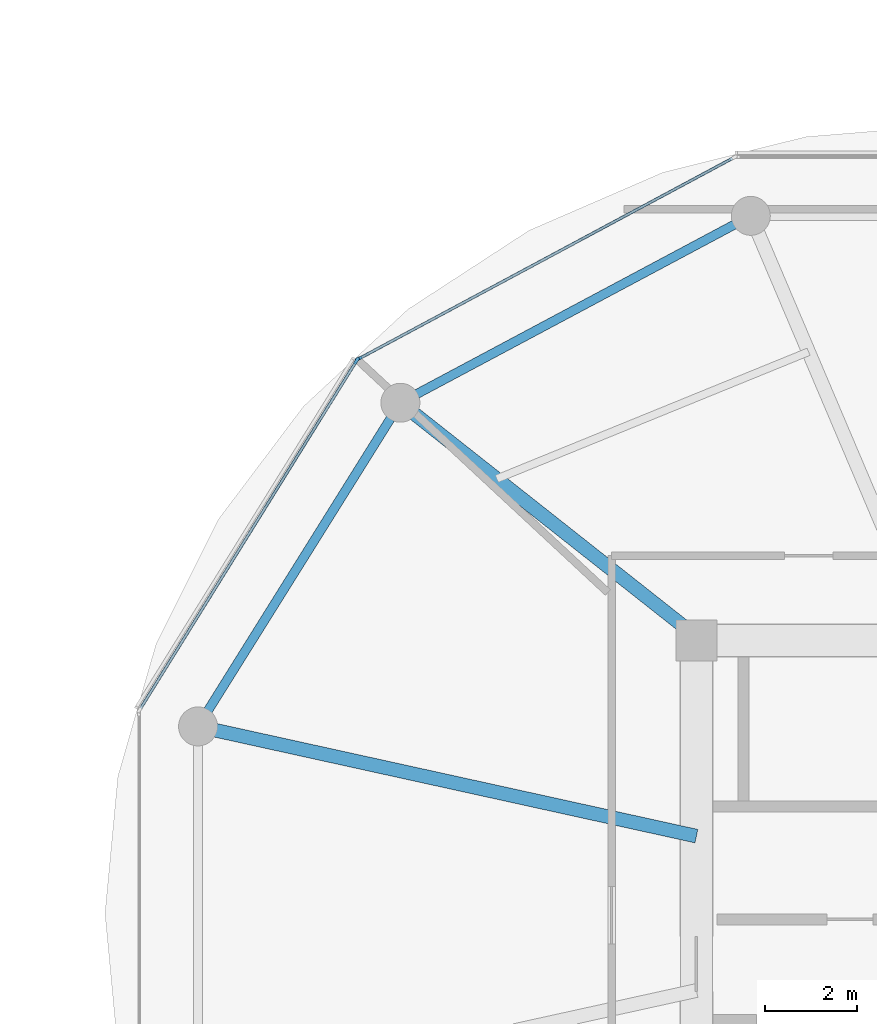
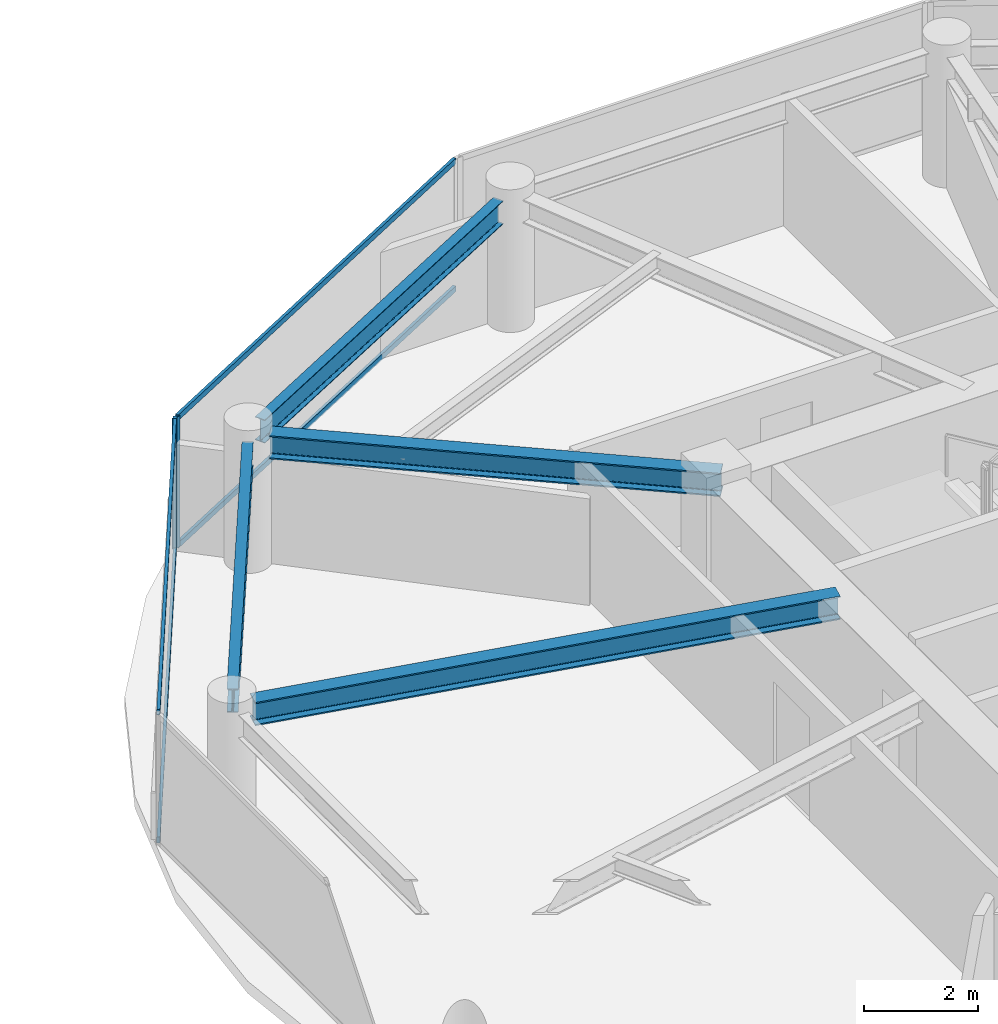
# One storey, part 8 of 22: 6 members, 4 beams, 2 elements without a shape of their own.
"""IFC4 building model written with IfcOpenShell, lengths in metres."""

from ifc_helpers import new_model, si_unit, direction, frame, origin, origin_2d, place, context, subcontext, project, spatial, rectangle, i_section, extrude, source, transform, mapped, material, layer, layer_set, material_profile, profile_set, type_object, type_shapes, element, aggregate, save


model = new_model("IFC4")

# Units and contexts
model_context = context("Model", 3, precision=1e-05, world=origin(), true_north=direction((0.0, 1.0)))
body_context = subcontext(model_context, "Body", "Model", "MODEL_VIEW")
ifc_project = project(units=[si_unit("LENGTHUNIT", "METRE"), si_unit("AREAUNIT", "SQUARE_METRE"), si_unit("VOLUMEUNIT", "CUBIC_METRE"), si_unit("PLANEANGLEUNIT", "RADIAN"), si_unit("MASSUNIT", "GRAM", prefix="KILO")], contexts=[model_context])

# Site, building, storey
site_placement = place(None, origin())
site = spatial("IfcSite", under=ifc_project, at=site_placement, CompositionType="ELEMENT")
building_placement = place(site_placement, origin())
building = spatial("IfcBuilding", under=site, at=building_placement, Name="Norrkilde Senior Care Towers", CompositionType="ELEMENT")
storey_placement = place(building_placement, frame((0.0, 0.0, 87.10009765625)))
storey = spatial("IfcBuildingStorey", under=building, at=storey_placement, Name="L26", CompositionType="ELEMENT", Elevation=87.10009765625)

# Beams
ifc_material_1 = material(Name="Steel S355", Category="steel")
ifc_material_profile_1 = material_profile(ifc_material_1, i_section(OverallWidth=0.199951171875, OverallDepth=0.5, WebThickness=0.01025390625, FlangeThickness=0.01611328125, FilletRadius=0.02099609375, at=origin_2d()), Name="IPE 500")
ifc_profile_set_1 = profile_set([ifc_material_profile_1], Name="Steel S355")
beam_type_1 = type_object("IfcBeamType", Name="Perimeter Ring Spandrel Z2 IPE500", PredefinedType="SPANDREL", material=ifc_profile_set_1)
shared_shape_1 = source(origin(), body_context, "Body", "SweptSolid", [
    extrude(i_section(OverallWidth=0.199951171875, OverallDepth=0.5, WebThickness=0.01025390625, FlangeThickness=0.01611328125, FilletRadius=0.02099609375, at=origin_2d()), origin(), (0.0, 0.0, 1.0), 7.55615234375),
])
beam_1_placement = place(storey_placement, frame((13.689697265625, 10.810546875, 2.539794921875), z_axis=(-0.529981514254, -0.848009194849, 0.0), x_axis=(0.848009194849, -0.529981514254, 0.0)))
element("IfcBeam", 1, at=beam_1_placement, inside=storey, type_object=beam_type_1, Name="L26 Drum E Perimeter Spandrel 05", PredefinedType="SPANDREL", context=body_context, shape_type="MappedRepresentation", body=[
    mapped(shared_shape_1, transform((0.0, 0.0, 0.0), x_axis=(1.0, 0.0, 0.0), y_axis=(0.0, 1.0, 0.0), z_axis=(0.0, 0.0, 1.0), scale=1.0)),
])
ifc_material_profile_2 = material_profile(ifc_material_1, i_section(OverallWidth=0.300048828125, OverallDepth=0.5, WebThickness=0.014404296875, FlangeThickness=0.028076171875, FilletRadius=0.027099609375, at=origin_2d()), Name="HEB 500")
ifc_profile_set_2 = profile_set([ifc_material_profile_2], Name="Steel S355")
beam_type_2 = type_object("IfcBeamType", Name="Radial Floor Beam Z2 HEB500", PredefinedType="BEAM", material=ifc_profile_set_2)
shared_shape_2 = source(origin(), body_context, "Body", "SweptSolid", [
    extrude(i_section(OverallWidth=0.300048828125, OverallDepth=0.5, WebThickness=0.014404296875, FlangeThickness=0.028076171875, FilletRadius=0.027099609375, at=origin_2d()), origin(), (0.0, 0.0, 1.0), 10.744384765625),
])
beam_2_placement = place(storey_placement, frame((20.35009765625, 1.683837890625, 2.539794921875), z_axis=(-0.976618711422, 0.214978818724, 0.0), x_axis=(-0.214978818724, -0.976618711422, 0.0)))
element("IfcBeam", 2, at=beam_2_placement, inside=storey, type_object=beam_type_2, Name="L26 Drum E Radial Floor Beam 06", PredefinedType="BEAM", context=body_context, shape_type="MappedRepresentation", body=[
    mapped(shared_shape_2, transform((0.0, 0.0, 0.0), x_axis=(1.0, 0.0, 0.0), y_axis=(0.0, 1.0, 0.0), z_axis=(0.0, 0.0, 1.0), scale=1.0)),
])
shared_shape_3 = source(origin(), body_context, "Body", "SweptSolid", [
    extrude(i_section(OverallWidth=0.199951171875, OverallDepth=0.5, WebThickness=0.01025390625, FlangeThickness=0.01611328125, FilletRadius=0.02099609375, at=origin_2d()), origin(), (0.0, 0.0, 1.0), 7.892333984375),
])
type_shapes(beam_type_1, [shared_shape_1, shared_shape_3])
beam_3_placement = place(storey_placement, frame((21.197509765625, 15.0322265625, 2.539794921875), z_axis=(-0.882350372282, -0.47059305194, 0.0), x_axis=(0.47059305194, -0.882350372282, 0.0)))
element("IfcBeam", 3, at=beam_3_placement, inside=storey, type_object=beam_type_1, Name="L26 Drum E Perimeter Spandrel 04", PredefinedType="SPANDREL", context=body_context, shape_type="MappedRepresentation", body=[
    mapped(shared_shape_3, transform((0.0, 0.0, 0.0), x_axis=(1.0, 0.0, 0.0), y_axis=(0.0, 1.0, 0.0), z_axis=(0.0, 0.0, 1.0), scale=1.0)),
])
shared_shape_4 = source(origin(), body_context, "Body", "SweptSolid", [
    extrude(i_section(OverallWidth=0.300048828125, OverallDepth=0.5, WebThickness=0.014404296875, FlangeThickness=0.028076171875, FilletRadius=0.027099609375, at=origin_2d()), origin(), (0.0, 0.0, 1.0), 7.985595703125),
])
type_shapes(beam_type_2, [shared_shape_2, shared_shape_4])
beam_4_placement = place(storey_placement, frame((20.463623046875, 5.949951171875, 2.539794921875), z_axis=(-0.784858505144, 0.619675017169, 0.0), x_axis=(-0.619675017169, -0.784858505144, 0.0)))
element("IfcBeam", 4, at=beam_4_placement, inside=storey, type_object=beam_type_2, Name="L26 Drum E Radial Floor Beam 05", PredefinedType="BEAM", context=body_context, shape_type="MappedRepresentation", body=[
    mapped(shared_shape_4, transform((0.0, 0.0, 0.0), x_axis=(1.0, 0.0, 0.0), y_axis=(0.0, 1.0, 0.0), z_axis=(0.0, 0.0, 1.0), scale=1.0)),
])

# Curtain wall, member
ifc_material_2 = material(Name="Triple Low-E Insulated Glazing", Category="glass")
ifc_layer = layer(ifc_material_2, 0.195068359375)
ifc_layer_set = layer_set([ifc_layer], Name="Triple Low-E Insulated Glazing")
curtain_wall_type = type_object("IfcCurtainWallType", Name="CW3 Zone 2 Assisted Living Curtain Wall", PredefinedType="NOTDEFINED", material=ifc_layer_set)
curtain_wall_1_placement = place(storey_placement, origin())
curtain_wall_1 = element("IfcCurtainWall", 5, at=curtain_wall_1_placement, inside=storey, type_object=curtain_wall_type, Name="L26 Drum E Curtain Wall 03", PredefinedType="NOTDEFINED")
ifc_material_3 = material(Name="Anodised Aluminium", Category="aluminium")
ifc_material_profile_3 = material_profile(ifc_material_3, rectangle(XDim=0.06494140625, YDim=0.159912109375, at=origin_2d()), Name="ALU MULL 65x160")
ifc_profile_set_3 = profile_set([ifc_material_profile_3], Name="Anodised Aluminium")
member_type_1 = type_object("IfcMemberType", Name="Curtain Wall Mullion Z1-Z2 65x160", PredefinedType="MULLION", material=ifc_profile_set_3)
shared_shape_5 = source(origin(), body_context, "Body", "SweptSolid", [
    extrude(rectangle(XDim=0.06494140625, YDim=0.159912109375, at=origin_2d()), origin(), (0.0, 0.0, 1.0), 2.789794921875),
])
type_shapes(member_type_1, [shared_shape_5])
member_1_placement = place(storey_placement, frame((12.98193359375, 12.0927734375, 0.0), z_axis=(0.0, 0.0, 1.0), x_axis=(-0.472769402511, 0.881186184668, 0.0)))
member_1 = element("IfcMember", 6, at=member_1_placement, type_object=member_type_1, Name="CW-3 mullion 1", PredefinedType="MULLION", context=body_context, shape_type="MappedRepresentation", body=[
    mapped(shared_shape_5, transform((0.0, 0.0, 0.0), x_axis=(1.0, 0.0, 0.0), y_axis=(0.0, 1.0, 0.0), z_axis=(0.0, 0.0, 1.0), scale=1.0)),
])

# Curtain wall, members
curtain_wall_2_placement = place(storey_placement, origin())
curtain_wall_2 = element("IfcCurtainWall", 7, at=curtain_wall_2_placement, inside=storey, type_object=curtain_wall_type, Name="L26 Drum E Curtain Wall 04", PredefinedType="NOTDEFINED")
member_2_placement = place(storey_placement, frame((12.936279296875, 12.0498046875, 0.0), z_axis=(0.0, 0.0, 1.0), x_axis=(-0.849410171862, 0.527733228002, 0.0)))
member_2 = element("IfcMember", 8, at=member_2_placement, type_object=member_type_1, Name="CW-3 mullion 2", PredefinedType="MULLION", context=body_context, shape_type="MappedRepresentation", body=[
    mapped(shared_shape_5, transform((0.0, 0.0, 0.0), x_axis=(1.0, 0.0, 0.0), y_axis=(0.0, 1.0, 0.0), z_axis=(0.0, 0.0, 1.0), scale=1.0)),
])
ifc_material_profile_4 = material_profile(ifc_material_3, rectangle(XDim=0.06005859375, YDim=0.1201171875, at=origin_2d()), Name="ALU TRAN 60x120")
ifc_profile_set_4 = profile_set([ifc_material_profile_4], Name="Anodised Aluminium")
member_type_2 = type_object("IfcMemberType", Name="Curtain Wall Transom Typical 60x120", PredefinedType="USERDEFINED", material=ifc_profile_set_4)
shared_shape_6 = source(origin(), body_context, "Body", "SweptSolid", [
    extrude(rectangle(XDim=0.06005859375, YDim=0.1201171875, at=origin_2d()), origin(), (0.0, 0.0, 1.0), 8.88427734375),
])
member_3_placement = place(storey_placement, frame((8.23046875, 4.475830078125, 0.02978515625), z_axis=(0.527749293309, 0.849400190377, 0.0), x_axis=(-0.849400190377, 0.527749293309, 0.0)))
member_3 = element("IfcMember", 9, at=member_3_placement, type_object=member_type_2, Name="CW-3 transom 1.1", ObjectType="TRANSOM", PredefinedType="USERDEFINED", context=body_context, shape_type="MappedRepresentation", body=[
    mapped(shared_shape_6, transform((0.0, 0.0, 0.0), x_axis=(1.0, 0.0, 0.0), y_axis=(0.0, 1.0, 0.0), z_axis=(0.0, 0.0, 1.0), scale=1.0)),
])
member_4_placement = place(storey_placement, frame((8.23046875, 4.475830078125, 2.760009765625), z_axis=(0.527749293309, 0.849400190377, 0.0), x_axis=(-0.849400190377, 0.527749293309, 0.0)))
member_4 = element("IfcMember", 10, at=member_4_placement, type_object=member_type_2, Name="CW-3 transom 1.2", ObjectType="TRANSOM", PredefinedType="USERDEFINED", context=body_context, shape_type="MappedRepresentation", body=[
    mapped(shared_shape_6, transform((0.0, 0.0, 0.0), x_axis=(1.0, 0.0, 0.0), y_axis=(0.0, 1.0, 0.0), z_axis=(0.0, 0.0, 1.0), scale=1.0)),
])
aggregate(curtain_wall_2, [member_2, member_3, member_4])

# Member
shared_shape_7 = source(origin(), body_context, "Body", "SweptSolid", [
    extrude(rectangle(XDim=0.06005859375, YDim=0.1201171875, at=origin_2d()), origin(), (0.0, 0.0, 1.0), 9.220458984375),
])
type_shapes(member_type_2, [shared_shape_6, shared_shape_7])
member_5_placement = place(storey_placement, frame((13.0107421875, 12.108154296875, 0.02978515625), z_axis=(0.881188517866, 0.472765053681, 0.0), x_axis=(-0.472765053681, 0.881188517866, 0.0)))
member_5 = element("IfcMember", 11, at=member_5_placement, type_object=member_type_2, Name="CW-3 transom 1.1", ObjectType="TRANSOM", PredefinedType="USERDEFINED", context=body_context, shape_type="MappedRepresentation", body=[
    mapped(shared_shape_7, transform((0.0, 0.0, 0.0), x_axis=(1.0, 0.0, 0.0), y_axis=(0.0, 1.0, 0.0), z_axis=(0.0, 0.0, 1.0), scale=1.0)),
])

member_6_placement = place(storey_placement, frame((13.0107421875, 12.108154296875, 2.760009765625), z_axis=(0.881188517866, 0.472765053681, 0.0), x_axis=(-0.472765053681, 0.881188517866, 0.0)))
member_6 = element("IfcMember", 12, at=member_6_placement, type_object=member_type_2, Name="CW-3 transom 1.2", ObjectType="TRANSOM", PredefinedType="USERDEFINED", context=body_context, shape_type="MappedRepresentation", body=[
    mapped(shared_shape_7, transform((0.0, 0.0, 0.0), x_axis=(1.0, 0.0, 0.0), y_axis=(0.0, 1.0, 0.0), z_axis=(0.0, 0.0, 1.0), scale=1.0)),
])

aggregate(curtain_wall_1, [member_1, member_5, member_6])

save(model, "model.ifc")
